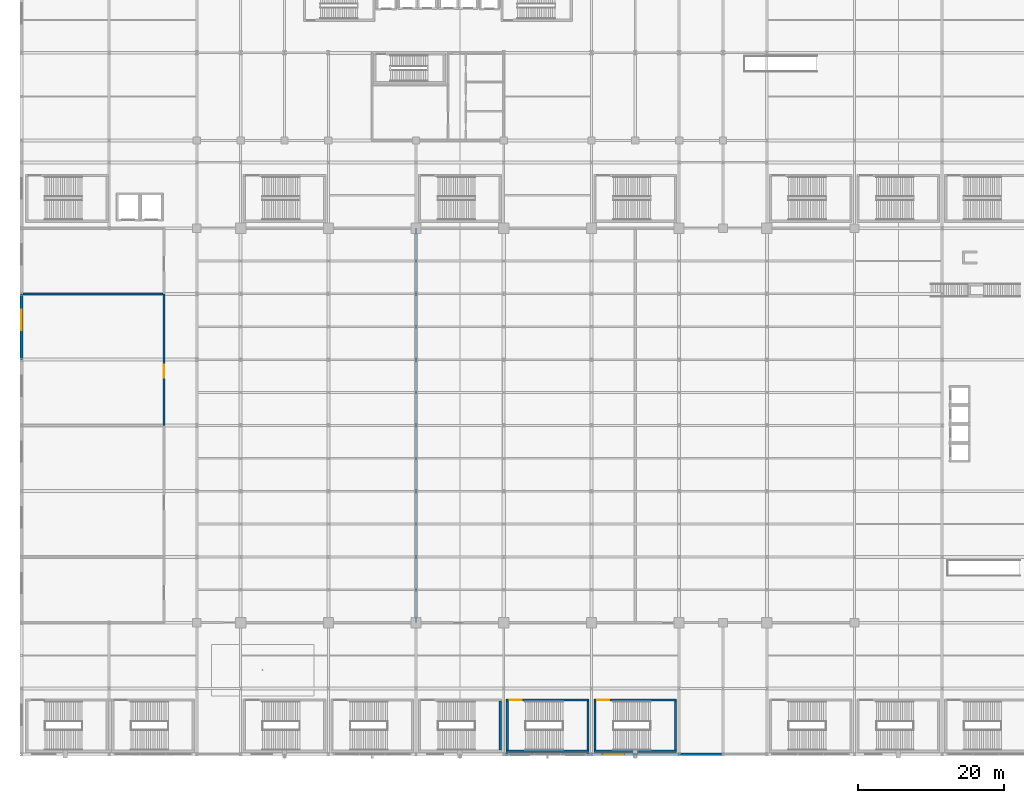
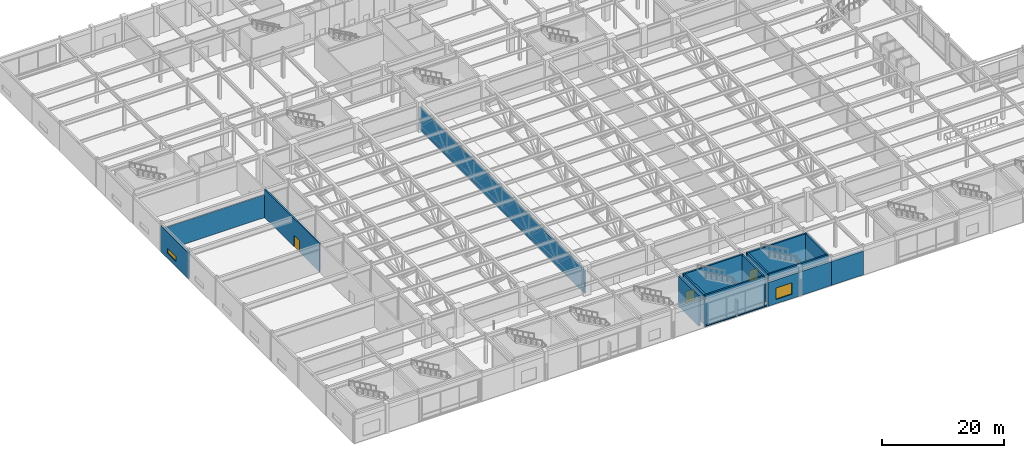
# One storey, part 89 of 108: 16 walls, 3 doors, 2 windows, 5 openings.
"""IFC4 building model written with IfcOpenShell, lengths in metres."""

from ifc_helpers import new_model, si_unit, direction, frame, frame_2d, origin, place, context, subcontext, project, spatial, rectangle, extrude, material, layer, layer_set, type_object, element, fill, save


model = new_model("IFC4")

# Units and contexts
model_context = context("Model", 3, precision=1e-05, world=origin(), true_north=direction((0.0, 1.0)))
body_context = subcontext(model_context, "Body", "Model", "MODEL_VIEW")
ifc_project = project(units=[si_unit("LENGTHUNIT", "METRE"), si_unit("AREAUNIT", "SQUARE_METRE"), si_unit("VOLUMEUNIT", "CUBIC_METRE"), si_unit("PLANEANGLEUNIT", "RADIAN"), si_unit("MASSUNIT", "GRAM", prefix="KILO")], contexts=[model_context])

# Site, building, storey
site_placement = place(None, origin())
site = spatial("IfcSite", under=ifc_project, at=site_placement, CompositionType="ELEMENT")
building_placement = place(site_placement, origin())
building = spatial("IfcBuilding", under=site, at=building_placement, Name="Kaldorvane Square Convention Centre", CompositionType="ELEMENT")
storey_placement = place(building_placement, frame((0.0, 0.0, 12.0)))
storey = spatial("IfcBuildingStorey", under=building, at=storey_placement, Name="L02", CompositionType="ELEMENT", Elevation=12.0)

# Wall, opening, door
ifc_material_1 = material(Name="Reinforced Concrete Masonry Acoustic Partition", Category="masonry")
ifc_layer_1 = layer(ifc_material_1, 0.2400054931640625)
ifc_layer_set_1 = layer_set([ifc_layer_1], Name="Reinforced Concrete Masonry Acoustic Partition")
wall_type_1 = type_object("IfcWallType", Name="WL-ACO-240", PredefinedType="PARTITIONING", material=ifc_layer_set_1)
wall_1_placement = place(storey_placement, frame((19.5, 45.0, 0.0), z_axis=(0.0, 0.0, 1.0), x_axis=(0.0, 1.0, 0.0)))
wall_1 = element("IfcWall", 1, at=wall_1_placement, inside=storey, type_object=wall_type_1, Name="Meeting Room 203 E Wall", PredefinedType="PARTITIONING", context=body_context, shape_type="SweptSolid", body=[
    extrude(rectangle(XDim=18.0, YDim=0.2400054931640625, at=frame_2d((9.0, 0.0))), origin(), (0.0, 0.0, 1.0), 5.649993896484375),
])
opening_1_placement = place(wall_1_placement, frame((6.5, 0.0, 0.0)))
opening_1 = element("IfcOpeningElement", 2, at=opening_1_placement, cuts=wall_1, Name="Opening ID-06", PredefinedType="OPENING", context=body_context, shape_type="SweptSolid", body=[
    extrude(rectangle(XDim=1.8000030517578125, YDim=2.3000030517578125, at=frame_2d((0.899993896484375, 1.149993896484375))), frame((0.0, 0.135009765625, 0.0), z_axis=(0.0, -1.0, 0.0), x_axis=(1.0, 0.0, 0.0)), (0.0, 0.0, 1.0), 0.2700042724609375),
])
ifc_material_2 = material(Name="Architectural Solid-Core White Oak")
door_type_1 = type_object("IfcDoorType", Name="DR-MEET-1800X2300", OperationType="DOUBLE_DOOR_SINGLE_SWING", PredefinedType="DOOR", material=ifc_material_2)
door_1_placement = place(opening_1_placement, origin())
door_1 = element("IfcDoor", 3, at=door_1_placement, inside=storey, type_object=door_type_1, Name="Meeting Room 203 Door 1", OperationType="DOUBLE_DOOR_SINGLE_SWING", OverallHeight=2.3000030517578125, OverallWidth=1.8000030517578125, PredefinedType="DOOR", context=body_context, shape_type="SweptSolid", body=[
    extrude(rectangle(XDim=1.8000030517578125, YDim=2.3000030517578125, at=frame_2d((0.899993896484375, 1.149993896484375))), frame((0.0, 0.024993896484375, 0.0), z_axis=(0.0, -1.0, 0.0), x_axis=(1.0, 0.0, 0.0)), (0.0, 0.0, 1.0), 0.0500030517578125),
])
fill(opening_1, door_1)

# Walls
wall_2_placement = place(storey_placement, frame((19.5, 63.0, 0.0), z_axis=(0.0, 0.0, 1.0), x_axis=(-1.0, 0.0, 0.0)))
element("IfcWall", 4, at=wall_2_placement, inside=storey, type_object=wall_type_1, Name="Meeting Room 203 N Wall", PredefinedType="PARTITIONING", context=body_context, shape_type="SweptSolid", body=[
    extrude(rectangle(XDim=19.30999755859375, YDim=0.2400054931640625, at=frame_2d((9.654998779296875, 0.0))), origin(), (0.0, 0.0, 1.0), 4.5279998779296875),
])
ifc_layer_2 = layer(ifc_material_1, 0.279998779296875)
ifc_layer_set_2 = layer_set([ifc_layer_2], Name="Reinforced Concrete Masonry Acoustic Partition")
wall_type_2 = type_object("IfcWallType", Name="WL-ACO-280", PredefinedType="PARTITIONING", material=ifc_layer_set_2)
wall_3_placement = place(storey_placement, frame((54.0, 18.0, 0.0), z_axis=(0.0, 0.0, 1.0), x_axis=(0.0, 1.0, 0.0)))
element("IfcWall", 5, at=wall_3_placement, inside=storey, type_object=wall_type_2, Name="West Transfer Truss Interstitial Mechanical Plenum E Wall", PredefinedType="PARTITIONING", context=body_context, shape_type="SweptSolid", body=[
    extrude(rectangle(XDim=54.0, YDim=0.279998779296875, at=frame_2d((27.0, 0.0))), origin(), (0.0, 0.0, 1.0), 4.5279998779296875),
])

# Wall, opening, window
ifc_material_3 = material(Name="Concrete f'c = 42 MPa (Normalweight)", Category="concrete")
ifc_layer_3 = layer(ifc_material_3, 0.3800048828125)
ifc_layer_set_3 = layer_set([ifc_layer_3], Name="Concrete f'c = 42 MPa (Normalweight)")
wall_type_3 = type_object("IfcWallType", Name="WL-EXT-380", PredefinedType="STANDARD", material=ifc_layer_set_3)
wall_4_placement = place(storey_placement, frame((78.0, 0.0, 0.0), z_axis=(0.0, 0.0, 1.0), x_axis=(1.0, 0.0, 0.0)))
wall_4 = element("IfcWall", 6, at=wall_4_placement, inside=storey, type_object=wall_type_3, Name="South Square Brutalist Facade Wall (L02)", PredefinedType="STANDARD", context=body_context, shape_type="SweptSolid", body=[
    extrude(rectangle(XDim=12.0, YDim=0.3800048828125, at=frame_2d((6.0, 0.0))), origin(), (0.0, 0.0, 1.0), 4.746002197265625),
])
opening_2_placement = place(wall_4_placement, frame((1.5, 0.0, 0.850006103515625)))
opening_2 = element("IfcOpeningElement", 7, at=opening_2_placement, cuts=wall_4, Name="Opening W-16", PredefinedType="OPENING", context=body_context, shape_type="SweptSolid", body=[
    extrude(rectangle(XDim=3.0, YDim=2.3000030517578125, at=frame_2d((1.5, 1.149993896484375))), frame((0.0, 0.2050018310546875, 0.0), z_axis=(0.0, -1.0, 0.0), x_axis=(1.0, 0.0, 0.0)), (0.0, 0.0, 1.0), 0.410003662109375),
])
ifc_material_4 = material(Name="Anodized Aluminum and Low-E Insulated Glazing", Category="aluminium")
window_type_1 = type_object("IfcWindowType", Name="WN-POD-3000X2300", PartitioningType="TRIPLE_PANEL_VERTICAL", PredefinedType="WINDOW", material=ifc_material_4)
window_1_placement = place(opening_2_placement, origin())
window_1 = element("IfcWindow", 8, at=window_1_placement, inside=storey, type_object=window_type_1, Name="South Facade Window (L02)", OverallHeight=2.3000030517578125, OverallWidth=3.0, PartitioningType="TRIPLE_PANEL_VERTICAL", PredefinedType="WINDOW", context=body_context, shape_type="SweptSolid", body=[
    extrude(rectangle(XDim=3.0, YDim=2.3000030517578125, at=frame_2d((1.5, 1.149993896484375))), frame((0.0, 0.029998779296875, 0.0), z_axis=(0.0, -1.0, 0.0), x_axis=(1.0, 0.0, 0.0)), (0.0, 0.0, 1.0), 0.05999755859375),
])
fill(opening_2, window_1)

# Wall
wall_5_placement = place(storey_placement, frame((90.0, 0.0, 0.0), z_axis=(0.0, 0.0, 1.0), x_axis=(1.0, 0.0, 0.0)))
element("IfcWall", 9, at=wall_5_placement, inside=storey, type_object=wall_type_3, Name="South Square Brutalist Facade Wall (L02)", PredefinedType="STANDARD", context=body_context, shape_type="SweptSolid", body=[
    extrude(rectangle(XDim=6.0, YDim=0.3800048828125, at=frame_2d((3.0, 0.0))), origin(), (0.0, 0.0, 1.0), 4.746002197265625),
])

# Wall, opening, window
wall_6_placement = place(storey_placement, frame((0.0, 63.0, 0.0), z_axis=(0.0, 0.0, 1.0), x_axis=(0.0, -1.0, 0.0)))
wall_6 = element("IfcWall", 10, at=wall_6_placement, inside=storey, type_object=wall_type_3, Name="West Brutalist Facade Wall (L02)", PredefinedType="STANDARD", context=body_context, shape_type="SweptSolid", body=[
    extrude(rectangle(XDim=9.0, YDim=0.3800048828125, at=frame_2d((4.5, 0.0))), origin(), (0.0, 0.0, 1.0), 5.2389984130859375),
])
opening_3_placement = place(wall_6_placement, frame((2.1999969482421875, 0.0, 1.0)))
opening_3 = element("IfcOpeningElement", 11, at=opening_3_placement, cuts=wall_6, Name="Opening W-26", PredefinedType="OPENING", context=body_context, shape_type="SweptSolid", body=[
    extrude(rectangle(XDim=2.8000030517578125, YDim=1.0, at=frame_2d((1.399993896484375, 0.5))), frame((0.0, 0.2050018310546875, 0.0), z_axis=(0.0, -1.0, 0.0), x_axis=(1.0, 0.0, 0.0)), (0.0, 0.0, 1.0), 0.410003662109375),
])
window_type_2 = type_object("IfcWindowType", Name="WN-CLR-2800X1000", PartitioningType="DOUBLE_PANEL_HORIZONTAL", PredefinedType="WINDOW", material=ifc_material_4)
window_2_placement = place(opening_3_placement, origin())
window_2 = element("IfcWindow", 12, at=window_2_placement, inside=storey, type_object=window_type_2, Name="West Facade Window (L02)", OverallHeight=1.0, OverallWidth=2.8000030517578125, PartitioningType="DOUBLE_PANEL_HORIZONTAL", PredefinedType="WINDOW", context=body_context, shape_type="SweptSolid", body=[
    extrude(rectangle(XDim=2.8000030517578125, YDim=1.0, at=frame_2d((1.399993896484375, 0.5))), frame((0.0, 0.029998779296875, 0.0), z_axis=(0.0, -1.0, 0.0), x_axis=(1.0, 0.0, 0.0)), (0.0, 0.0, 1.0), 0.05999755859375),
])
fill(opening_3, window_2)

# Walls
ifc_material_5 = material(Name="Concrete f'c = 35 MPa (Normalweight)", Category="concrete")
ifc_layer_4 = layer(ifc_material_5, 0.279998779296875)
ifc_layer_set_4 = layer_set([ifc_layer_4], Name="Concrete f'c = 35 MPa (Normalweight)")
wall_type_4 = type_object("IfcWallType", Name="WL-PAR-280", PredefinedType="PARAPET", material=ifc_layer_set_4)
wall_7_placement = place(storey_placement, frame((66.0, 0.0, 0.0), z_axis=(0.0, 0.0, 1.0), x_axis=(1.0, 0.0, 0.0)))
element("IfcWall", 13, at=wall_7_placement, inside=storey, type_object=wall_type_4, Name="Curtain-Wall Sill Kerb (L02)", PredefinedType="PARAPET", context=body_context, shape_type="SweptSolid", body=[
    extrude(rectangle(XDim=12.0, YDim=0.279998779296875, at=frame_2d((6.0, 0.0))), origin(), (0.0, 0.0, 1.0), 0.1999969482421875),
])
ifc_material_6 = material(Name="Concrete f'c = 55 MPa (Normalweight)", Category="concrete")
ifc_layer_5 = layer(ifc_material_6, 0.3000030517578125)
ifc_layer_set_5 = layer_set([ifc_layer_5], Name="Concrete f'c = 55 MPa (Normalweight)")
wall_type_5 = type_object("IfcWallType", Name="WL-SHAFT-300", PredefinedType="SHEAR", material=ifc_layer_set_5)
wall_8_placement = place(storey_placement, frame((65.50999450683594, 0.5500030517578125, 0.0), z_axis=(0.0, 0.0, 1.0), x_axis=(0.0, 1.0, 0.0)))
element("IfcWall", 14, at=wall_8_placement, inside=storey, type_object=wall_type_5, Name="Core Enclosure Wall stair:ST-C5-E (L02)", PredefinedType="SHEAR", context=body_context, shape_type="SweptSolid", body=[
    extrude(rectangle(XDim=6.709991455078125, YDim=0.3000030517578125, at=frame_2d((3.3549957275390625, 0.0))), origin(), (0.0, 0.0, 1.0), 6.0),
])
wall_9_placement = place(storey_placement, frame((77.66000366210938, 0.399993896484375, 0.0), z_axis=(0.0, 0.0, 1.0), x_axis=(-1.0, 0.0, 0.0)))
element("IfcWall", 15, at=wall_9_placement, inside=storey, type_object=wall_type_5, Name="Core Enclosure Wall stair:ST-C6-S (L02)", PredefinedType="SHEAR", context=body_context, shape_type="SweptSolid", body=[
    extrude(rectangle(XDim=11.32000732421875, YDim=0.3000030517578125, at=frame_2d((5.660003662109375, 0.0))), origin(), (0.0, 0.0, 1.0), 6.0),
])

# Wall, opening, door
wall_10_placement = place(storey_placement, frame((77.66000366210938, 7.410003662109375, 0.0), z_axis=(0.0, 0.0, 1.0), x_axis=(-1.0, 0.0, 0.0)))
wall_10 = element("IfcWall", 16, at=wall_10_placement, inside=storey, type_object=wall_type_5, Name="Core Enclosure Wall stair:ST-C6-N (L02)", PredefinedType="SHEAR", context=body_context, shape_type="SweptSolid", body=[
    extrude(rectangle(XDim=11.32000732421875, YDim=0.3000030517578125, at=frame_2d((5.660003662109375, 0.0))), origin(), (0.0, 0.0, 1.0), 6.0),
])
opening_4_placement = place(wall_10_placement, frame((9.220001220703125, 0.0, 0.0)))
opening_4 = element("IfcOpeningElement", 17, at=opening_4_placement, cuts=wall_10, Name="Opening FD90-S2", PredefinedType="OPENING", context=body_context, shape_type="SweptSolid", body=[
    extrude(rectangle(XDim=1.649993896484375, YDim=2.25, at=frame_2d((0.8249969482421875, 1.125))), frame((0.0, 0.165008544921875, 0.0), z_axis=(0.0, -1.0, 0.0), x_axis=(1.0, 0.0, 0.0)), (0.0, 0.0, 1.0), 0.3300018310546875),
])
ifc_material_7 = material(Name="Fire-Rated Hollow Metal Steel", Category="steel")
door_type_2 = type_object("IfcDoorType", Name="DR-STAIR-1650", OperationType="DOUBLE_DOOR_SINGLE_SWING", PredefinedType="DOOR", material=ifc_material_7)
door_2_placement = place(opening_4_placement, origin())
door_2 = element("IfcDoor", 18, at=door_2_placement, inside=storey, type_object=door_type_2, Name="Convention Exit Stair C6 Fire Door (L02)", OperationType="DOUBLE_DOOR_SINGLE_SWING", OverallHeight=2.25, OverallWidth=1.649993896484375, PredefinedType="DOOR", context=body_context, shape_type="SweptSolid", body=[
    extrude(rectangle(XDim=1.649993896484375, YDim=2.25, at=frame_2d((0.8249969482421875, 1.125))), frame((0.0, 0.024993896484375, 0.0), z_axis=(0.0, -1.0, 0.0), x_axis=(1.0, 0.0, 0.0)), (0.0, 0.0, 1.0), 0.0500030517578125),
])
fill(opening_4, door_2)

# Walls
for number, where, z_axis, x_axis, name in (
    (19, (66.49000549316406, 7.2599945068359375, 0.0), (0.0, 0.0, 1.0), (0.0, -1.0, 0.0), "Core Enclosure Wall stair:ST-C6-W (L02)"),
    (20, (77.50999450683594, 0.5500030517578125, 0.0), (0.0, 0.0, 1.0), (0.0, 1.0, 0.0), "Core Enclosure Wall stair:ST-C6-E (L02)"),
):
    element("IfcWall", number, at=place(storey_placement, frame(where, z_axis=z_axis, x_axis=x_axis)), inside=storey, type_object=wall_type_5, Name=name, PredefinedType="SHEAR", context=body_context, shape_type="SweptSolid", body=[
        extrude(rectangle(XDim=6.709991455078125, YDim=0.3000030517578125, at=frame_2d((3.3549957275390625, 0.0))), origin(), (0.0, 0.0, 1.0), 6.0),
    ])
wall_11_placement = place(storey_placement, frame((89.66000366210938, 0.399993896484375, 0.0), z_axis=(0.0, 0.0, 1.0), x_axis=(-1.0, 0.0, 0.0)))
element("IfcWall", 21, at=wall_11_placement, inside=storey, type_object=wall_type_5, Name="Core Enclosure Wall stair:ST-C7-S (L02)", PredefinedType="SHEAR", context=body_context, shape_type="SweptSolid", body=[
    extrude(rectangle(XDim=11.32000732421875, YDim=0.3000030517578125, at=frame_2d((5.660003662109375, 0.0))), origin(), (0.0, 0.0, 1.0), 6.0),
])

# Wall, opening, door
wall_12_placement = place(storey_placement, frame((89.66000366210938, 7.410003662109375, 0.0), z_axis=(0.0, 0.0, 1.0), x_axis=(-1.0, 0.0, 0.0)))
wall_12 = element("IfcWall", 22, at=wall_12_placement, inside=storey, type_object=wall_type_5, Name="Core Enclosure Wall stair:ST-C7-N (L02)", PredefinedType="SHEAR", context=body_context, shape_type="SweptSolid", body=[
    extrude(rectangle(XDim=11.32000732421875, YDim=0.3000030517578125, at=frame_2d((5.660003662109375, 0.0))), origin(), (0.0, 0.0, 1.0), 6.0),
])
opening_5_placement = place(wall_12_placement, frame((9.220001220703125, 0.0, 0.0)))
opening_5 = element("IfcOpeningElement", 23, at=opening_5_placement, cuts=wall_12, Name="Opening FD90-S2", PredefinedType="OPENING", context=body_context, shape_type="SweptSolid", body=[
    extrude(rectangle(XDim=1.649993896484375, YDim=2.25, at=frame_2d((0.8249969482421875, 1.125))), frame((0.0, 0.165008544921875, 0.0), z_axis=(0.0, -1.0, 0.0), x_axis=(1.0, 0.0, 0.0)), (0.0, 0.0, 1.0), 0.3300018310546875),
])
door_3_placement = place(opening_5_placement, origin())
door_3 = element("IfcDoor", 24, at=door_3_placement, inside=storey, type_object=door_type_2, Name="Convention Exit Stair C7 Fire Door (L02)", OperationType="DOUBLE_DOOR_SINGLE_SWING", OverallHeight=2.25, OverallWidth=1.649993896484375, PredefinedType="DOOR", context=body_context, shape_type="SweptSolid", body=[
    extrude(rectangle(XDim=1.649993896484375, YDim=2.25, at=frame_2d((0.8249969482421875, 1.125))), frame((0.0, 0.024993896484375, 0.0), z_axis=(0.0, -1.0, 0.0), x_axis=(1.0, 0.0, 0.0)), (0.0, 0.0, 1.0), 0.0500030517578125),
])
fill(opening_5, door_3)

# Walls
for number, where, z_axis, x_axis, name in (
    (25, (78.49000549316406, 7.2599945068359375, 0.0), (0.0, 0.0, 1.0), (0.0, -1.0, 0.0), "Core Enclosure Wall stair:ST-C7-W (L02)"),
    (26, (89.50999450683594, 0.5500030517578125, 0.0), (0.0, 0.0, 1.0), (0.0, 1.0, 0.0), "Core Enclosure Wall stair:ST-C7-E (L02)"),
):
    element("IfcWall", number, at=place(storey_placement, frame(where, z_axis=z_axis, x_axis=x_axis)), inside=storey, type_object=wall_type_5, Name=name, PredefinedType="SHEAR", context=body_context, shape_type="SweptSolid", body=[
        extrude(rectangle(XDim=6.709991455078125, YDim=0.3000030517578125, at=frame_2d((3.3549957275390625, 0.0))), origin(), (0.0, 0.0, 1.0), 6.0),
    ])

save(model, "model.ifc")
